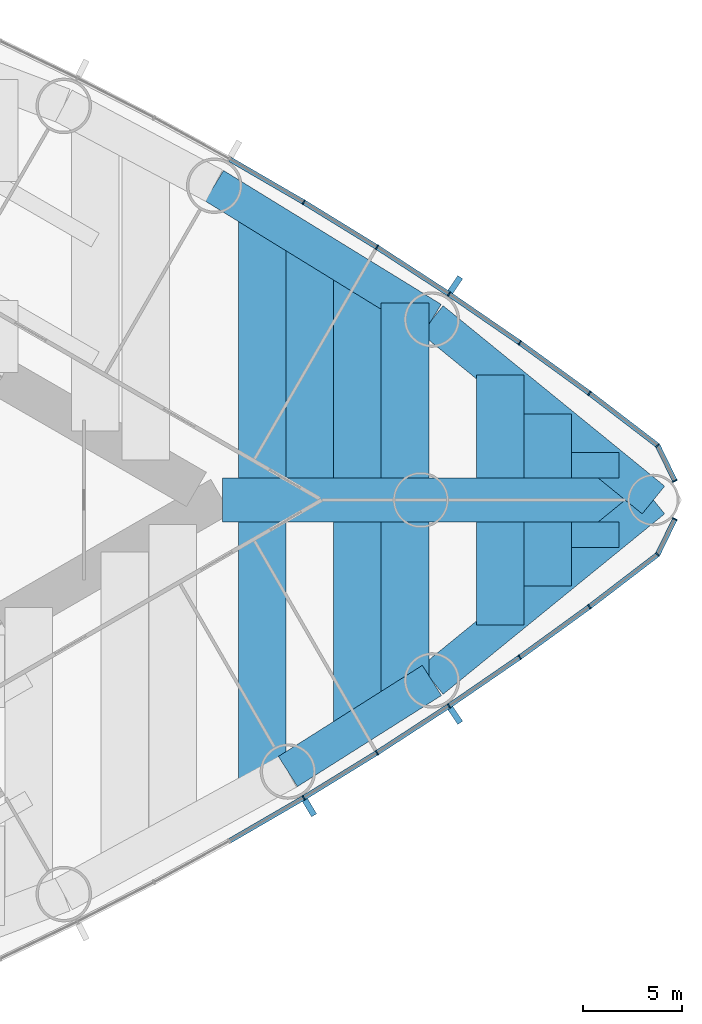
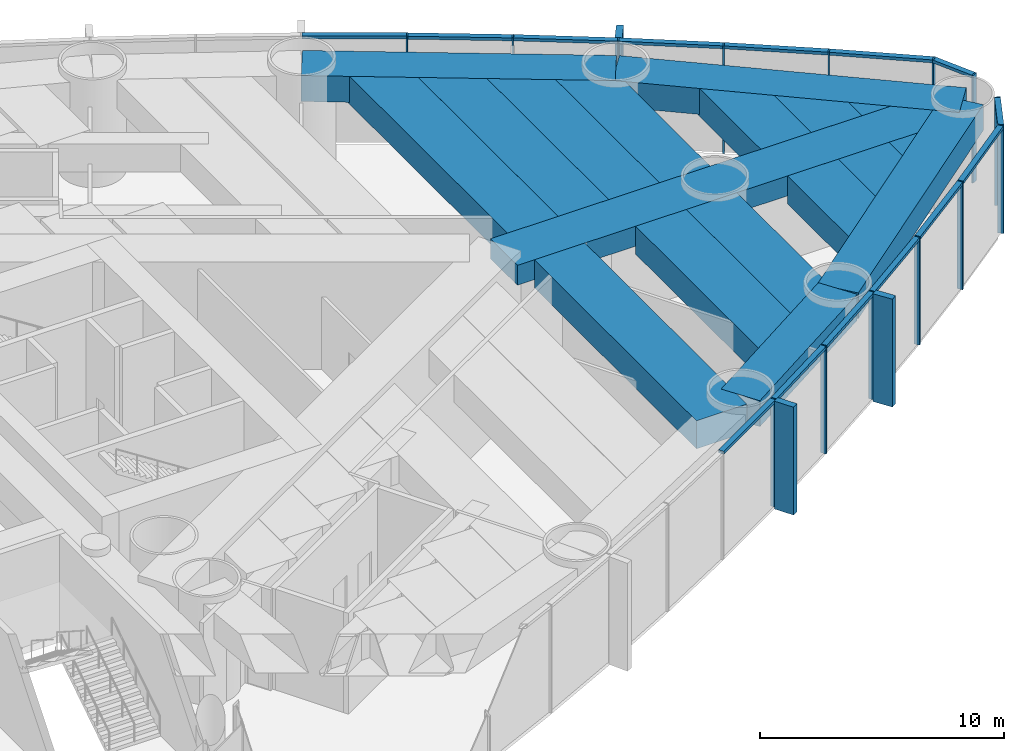
# One storey, part 11 of 20: 31 members, 18 beams, 2 elements without a shape of their own.
"""IFC4 building model written with IfcOpenShell, lengths in metres."""

from ifc_helpers import new_model, si_unit, direction, frame, origin, origin_2d, place, context, subcontext, project, spatial, rectangle, extrude, material, material_profile, profile_set, type_object, element, aggregate, save


model = new_model("IFC4")

# Units and contexts
model_context = context("Model", 3, precision=1e-05, world=origin(), true_north=direction((0.0, 1.0)))
body_context = subcontext(model_context, "Body", "Model", "MODEL_VIEW")
ifc_project = project(units=[si_unit("LENGTHUNIT", "METRE"), si_unit("AREAUNIT", "SQUARE_METRE"), si_unit("VOLUMEUNIT", "CUBIC_METRE"), si_unit("PLANEANGLEUNIT", "RADIAN"), si_unit("MASSUNIT", "GRAM", prefix="KILO")], contexts=[model_context])

# Site, building, storey
site_placement = place(None, origin())
site = spatial("IfcSite", under=ifc_project, at=site_placement, CompositionType="ELEMENT")
building_placement = place(site_placement, origin())
building = spatial("IfcBuilding", under=site, at=building_placement, Name="Lancet Gate Hotel", CompositionType="ELEMENT")
storey_placement = place(building_placement, frame((0.0, 0.0, 7.199951171875)))
storey = spatial("IfcBuildingStorey", under=building, at=storey_placement, Name="L01", CompositionType="ELEMENT", Elevation=7.199951171875)

# Curtain wall, members
ifc_material_1 = material(Name="Aluminium curtain wall", Category="aluminium")
curtain_wall_type = type_object("IfcCurtainWallType", Name="Podium curtain wall", PredefinedType="USERDEFINED", material=ifc_material_1)
curtain_wall_1_placement = place(storey_placement, origin())
curtain_wall_1 = element("IfcCurtainWall", 1, at=curtain_wall_1_placement, inside=storey, type_object=curtain_wall_type, Name="T2 L01 curtain wall 2", ObjectType="UNITISED CURTAIN WALL", PredefinedType="USERDEFINED")
ifc_material_2 = material(Name="Aluminium mullion", Category="aluminium")
ifc_material_profile_1 = material_profile(ifc_material_2, rectangle(XDim=0.06494140625, YDim=0.25, at=origin_2d()), Name="MULLION 65x250")
ifc_profile_set_1 = profile_set([ifc_material_profile_1], Name="Aluminium mullion")
member_type_1 = type_object("IfcMemberType", Name="Aluminium mullion 65x250", PredefinedType="MULLION", material=ifc_profile_set_1)
member_1_placement = place(storey_placement, frame((55.590087890625, -15.03125, 0.0), z_axis=(0.0, 0.0, 1.0), x_axis=(0.858413008828, 0.512959166284, 0.0)))
member_1 = element("IfcMember", 2, at=member_1_placement, type_object=member_type_1, Name="T2 L01 curtain wall 2 mullion 8", PredefinedType="MULLION", context=body_context, shape_type="SweptSolid", body=[
    extrude(rectangle(XDim=0.06494140625, YDim=0.25, at=origin_2d()), origin(), (0.0, 0.0, 1.0), 5.400146484375),
])
member_2_placement = place(storey_placement, frame((59.28515625, -12.7587890625, 0.0), z_axis=(0.0, 0.0, 1.0), x_axis=(0.845079420983, 0.534640788035, 0.0)))
member_2 = element("IfcMember", 3, at=member_2_placement, type_object=member_type_1, Name="T2 L01 curtain wall 2 mullion 9", PredefinedType="MULLION", context=body_context, shape_type="SweptSolid", body=[
    extrude(rectangle(XDim=0.06494140625, YDim=0.25, at=origin_2d()), origin(), (0.0, 0.0, 1.0), 5.400146484375),
])
member_3_placement = place(storey_placement, frame((62.921142578125, -10.393310546875, 0.0), z_axis=(0.0, 0.0, 1.0), x_axis=(0.831198325377, 0.555976028162, 0.0)))
member_3 = element("IfcMember", 4, at=member_3_placement, type_object=member_type_1, Name="T2 L01 curtain wall 2 mullion 10", PredefinedType="MULLION", context=body_context, shape_type="SweptSolid", body=[
    extrude(rectangle(XDim=0.06494140625, YDim=0.25, at=origin_2d()), origin(), (0.0, 0.0, 1.0), 5.400146484375),
])
member_4_placement = place(storey_placement, frame((66.49560546875, -7.935791015625, 0.0), z_axis=(0.0, 0.0, 1.0), x_axis=(0.816778715254, 0.576951064049, 0.0)))
member_4 = element("IfcMember", 5, at=member_4_placement, type_object=member_type_1, Name="T2 L01 curtain wall 2 mullion 11", PredefinedType="MULLION", context=body_context, shape_type="SweptSolid", body=[
    extrude(rectangle(XDim=0.06494140625, YDim=0.25, at=origin_2d()), origin(), (0.0, 0.0, 1.0), 5.400146484375),
])
member_5_placement = place(storey_placement, frame((70.00634765625, -5.388427734375, 0.0), z_axis=(0.0, 0.0, 1.0), x_axis=(0.801829932754, 0.597552306447, 0.0)))
member_5 = element("IfcMember", 6, at=member_5_placement, type_object=member_type_1, Name="T2 L01 curtain wall 2 mullion 12", PredefinedType="MULLION", context=body_context, shape_type="SweptSolid", body=[
    extrude(rectangle(XDim=0.06494140625, YDim=0.25, at=origin_2d()), origin(), (0.0, 0.0, 1.0), 5.400146484375),
])
member_6_placement = place(storey_placement, frame((73.451416015625, -2.752197265625, 0.0), z_axis=(0.0, 0.0, 1.0), x_axis=(0.697983022443, 0.716114306784, 0.0)))
member_6 = element("IfcMember", 7, at=member_6_placement, type_object=member_type_1, Name="T2 L01 curtain wall 2 mullion 13", PredefinedType="MULLION", context=body_context, shape_type="SweptSolid", body=[
    extrude(rectangle(XDim=0.06494140625, YDim=0.25, at=origin_2d()), origin(), (0.0, 0.0, 1.0), 5.400146484375),
])
member_7_placement = place(storey_placement, frame((74.322265625, -0.96044921875, 0.0), z_axis=(0.0, 0.0, 1.0), x_axis=(0.437169070119, 0.899379343843, 0.0)))
member_7 = element("IfcMember", 8, at=member_7_placement, type_object=member_type_1, Name="T2 L01 curtain wall 2 mullion 14", PredefinedType="MULLION", context=body_context, shape_type="SweptSolid", body=[
    extrude(rectangle(XDim=0.06494140625, YDim=0.25, at=origin_2d()), origin(), (0.0, 0.0, 1.0), 5.400146484375),
])

curtain_wall_2_placement = place(storey_placement, origin())
curtain_wall_2 = element("IfcCurtainWall", 9, at=curtain_wall_2_placement, inside=storey, type_object=curtain_wall_type, Name="T2 L01 curtain wall 3", ObjectType="UNITISED CURTAIN WALL", PredefinedType="USERDEFINED")
member_8_placement = place(storey_placement, frame((74.322265625, 0.96044921875, 0.0), z_axis=(0.0, 0.0, 1.0), x_axis=(-0.437169070119, 0.899379343843, 0.0)))
member_8 = element("IfcMember", 10, at=member_8_placement, type_object=member_type_1, Name="T2 L01 curtain wall 3 mullion 1", PredefinedType="MULLION", context=body_context, shape_type="SweptSolid", body=[
    extrude(rectangle(XDim=0.06494140625, YDim=0.25, at=origin_2d()), origin(), (0.0, 0.0, 1.0), 5.400146484375),
])
member_9_placement = place(storey_placement, frame((73.451416015625, 2.752197265625, 0.0), z_axis=(0.0, 0.0, 1.0), x_axis=(-0.697983022443, 0.716114306784, 0.0)))
member_9 = element("IfcMember", 11, at=member_9_placement, type_object=member_type_1, Name="T2 L01 curtain wall 3 mullion 2", PredefinedType="MULLION", context=body_context, shape_type="SweptSolid", body=[
    extrude(rectangle(XDim=0.06494140625, YDim=0.25, at=origin_2d()), origin(), (0.0, 0.0, 1.0), 5.400146484375),
])
member_10_placement = place(storey_placement, frame((70.00634765625, 5.388427734375, 0.0), z_axis=(0.0, 0.0, 1.0), x_axis=(-0.801829932754, 0.597552306447, 0.0)))
member_10 = element("IfcMember", 12, at=member_10_placement, type_object=member_type_1, Name="T2 L01 curtain wall 3 mullion 3", PredefinedType="MULLION", context=body_context, shape_type="SweptSolid", body=[
    extrude(rectangle(XDim=0.06494140625, YDim=0.25, at=origin_2d()), origin(), (0.0, 0.0, 1.0), 5.400146484375),
])
member_11_placement = place(storey_placement, frame((66.49560546875, 7.935791015625, 0.0), z_axis=(0.0, 0.0, 1.0), x_axis=(-0.816778715254, 0.576951064049, 0.0)))
member_11 = element("IfcMember", 13, at=member_11_placement, type_object=member_type_1, Name="T2 L01 curtain wall 3 mullion 4", PredefinedType="MULLION", context=body_context, shape_type="SweptSolid", body=[
    extrude(rectangle(XDim=0.06494140625, YDim=0.25, at=origin_2d()), origin(), (0.0, 0.0, 1.0), 5.400146484375),
])
member_12_placement = place(storey_placement, frame((62.921142578125, 10.393310546875, 0.0), z_axis=(0.0, 0.0, 1.0), x_axis=(-0.831198325377, 0.555976028162, 0.0)))
member_12 = element("IfcMember", 14, at=member_12_placement, type_object=member_type_1, Name="T2 L01 curtain wall 3 mullion 5", PredefinedType="MULLION", context=body_context, shape_type="SweptSolid", body=[
    extrude(rectangle(XDim=0.06494140625, YDim=0.25, at=origin_2d()), origin(), (0.0, 0.0, 1.0), 5.400146484375),
])
member_13_placement = place(storey_placement, frame((59.28515625, 12.7587890625, 0.0), z_axis=(0.0, 0.0, 1.0), x_axis=(-0.845079420983, 0.534640788035, 0.0)))
member_13 = element("IfcMember", 15, at=member_13_placement, type_object=member_type_1, Name="T2 L01 curtain wall 3 mullion 6", PredefinedType="MULLION", context=body_context, shape_type="SweptSolid", body=[
    extrude(rectangle(XDim=0.06494140625, YDim=0.25, at=origin_2d()), origin(), (0.0, 0.0, 1.0), 5.400146484375),
])
member_14_placement = place(storey_placement, frame((55.590087890625, 15.03125, 0.0), z_axis=(0.0, 0.0, 1.0), x_axis=(-0.858413008828, 0.512959166284, 0.0)))
member_14 = element("IfcMember", 16, at=member_14_placement, type_object=member_type_1, Name="T2 L01 curtain wall 3 mullion 7", PredefinedType="MULLION", context=body_context, shape_type="SweptSolid", body=[
    extrude(rectangle(XDim=0.06494140625, YDim=0.25, at=origin_2d()), origin(), (0.0, 0.0, 1.0), 5.400146484375),
])

# Member
ifc_material_3 = material(Name="Aluminium transom", Category="aluminium")
ifc_material_profile_2 = material_profile(ifc_material_3, rectangle(XDim=0.25, YDim=0.14990234375, at=origin_2d()), Name="TRANSOM 250x150")
ifc_profile_set_2 = profile_set([ifc_material_profile_2], Name="Aluminium transom")
member_type_2 = type_object("IfcMemberType", Name="Aluminium transom 250x150", PredefinedType="USERDEFINED", material=ifc_profile_set_2)
member_15_placement = place(storey_placement, frame((51.86669921875, -17.1923828125, 5.324951171875), z_axis=(0.864854571156, 0.502022480324, 0.0), x_axis=(-0.502022480324, 0.864854571156, 0.0)))
member_15 = element("IfcMember", 17, at=member_15_placement, type_object=member_type_2, Name="T2 L01 curtain wall 2 transom 7", ObjectType="TRANSOM", PredefinedType="USERDEFINED", context=body_context, shape_type="SweptSolid", body=[
    extrude(rectangle(XDim=0.25, YDim=0.14990234375, at=origin_2d()), origin(), (0.0, 0.0, 1.0), 4.272705078125),
])

member_16_placement = place(storey_placement, frame((55.617919921875, -15.01416015625, 5.324951171875), z_axis=(0.851815224451, 0.523842365023, 0.0), x_axis=(-0.523842365023, 0.851815224451, 0.0)))
member_16 = element("IfcMember", 18, at=member_16_placement, type_object=member_type_2, Name="T2 L01 curtain wall 2 transom 8", ObjectType="TRANSOM", PredefinedType="USERDEFINED", context=body_context, shape_type="SweptSolid", body=[
    extrude(rectangle(XDim=0.25, YDim=0.14990234375, at=origin_2d()), origin(), (0.0, 0.0, 1.0), 4.272705078125),
])

member_17_placement = place(storey_placement, frame((59.3125, -12.7412109375, 5.324951171875), z_axis=(0.83817850664, 0.545395994674, 0.0), x_axis=(-0.545395994674, 0.83817850664, 0.0)))
member_17 = element("IfcMember", 19, at=member_17_placement, type_object=member_type_2, Name="T2 L01 curtain wall 2 transom 9", ObjectType="TRANSOM", PredefinedType="USERDEFINED", context=body_context, shape_type="SweptSolid", body=[
    extrude(rectangle(XDim=0.25, YDim=0.14990234375, at=origin_2d()), origin(), (0.0, 0.0, 1.0), 4.272705078125),
])

member_18_placement = place(storey_placement, frame((62.94775390625, -10.374755859375, 5.324951171875), z_axis=(0.824071932869, 0.566485171437, 0.0), x_axis=(-0.566485171437, 0.824071932869, 0.0)))
member_18 = element("IfcMember", 20, at=member_18_placement, type_object=member_type_2, Name="T2 L01 curtain wall 2 transom 10", ObjectType="TRANSOM", PredefinedType="USERDEFINED", context=body_context, shape_type="SweptSolid", body=[
    extrude(rectangle(XDim=0.25, YDim=0.14990234375, at=origin_2d()), origin(), (0.0, 0.0, 1.0), 4.272705078125),
])

member_19_placement = place(storey_placement, frame((66.52197265625, -7.916748046875, 5.324951171875), z_axis=(0.809382971085, 0.587281198505, 0.0), x_axis=(-0.587281198505, 0.809382971085, 0.0)))
member_19 = element("IfcMember", 21, at=member_19_placement, type_object=member_type_2, Name="T2 L01 curtain wall 2 transom 11", ObjectType="TRANSOM", PredefinedType="USERDEFINED", context=body_context, shape_type="SweptSolid", body=[
    extrude(rectangle(XDim=0.25, YDim=0.14990234375, at=origin_2d()), origin(), (0.0, 0.0, 1.0), 4.272705078125),
])

member_20_placement = place(storey_placement, frame((70.0322265625, -5.36865234375, 5.324951171875), z_axis=(0.794155062652, 0.607715177089, 0.0), x_axis=(-0.607715177089, 0.794155062652, 0.0)))
member_20 = element("IfcMember", 22, at=member_20_placement, type_object=member_type_2, Name="T2 L01 curtain wall 2 transom 12", ObjectType="TRANSOM", PredefinedType="USERDEFINED", context=body_context, shape_type="SweptSolid", body=[
    extrude(rectangle(XDim=0.25, YDim=0.14990234375, at=origin_2d()), origin(), (0.0, 0.0, 1.0), 4.27294921875),
])

member_21_placement = place(storey_placement, frame((73.465576171875, -2.72314453125, 5.324951171875), z_axis=(0.437103060611, 0.899411426659, 0.0), x_axis=(-0.899411426659, 0.437103060611, 0.0)))
member_21 = element("IfcMember", 23, at=member_21_placement, type_object=member_type_2, Name="T2 L01 curtain wall 2 transom 13", ObjectType="TRANSOM", PredefinedType="USERDEFINED", context=body_context, shape_type="SweptSolid", body=[
    extrude(rectangle(XDim=0.25, YDim=0.14990234375, at=origin_2d()), origin(), (0.0, 0.0, 1.0), 1.927490234375),
])

member_22_placement = place(storey_placement, frame((74.30810546875, 0.989501953125, 5.324951171875), z_axis=(-0.437103060611, 0.899411426659, 0.0), x_axis=(-0.899411426659, -0.437103060611, 0.0)))
member_22 = element("IfcMember", 24, at=member_22_placement, type_object=member_type_2, Name="T2 L01 curtain wall 3 transom 1", ObjectType="TRANSOM", PredefinedType="USERDEFINED", context=body_context, shape_type="SweptSolid", body=[
    extrude(rectangle(XDim=0.25, YDim=0.14990234375, at=origin_2d()), origin(), (0.0, 0.0, 1.0), 1.927490234375),
])

member_23_placement = place(storey_placement, frame((73.425537109375, 2.77197265625, 5.324951171875), z_axis=(-0.794155062652, 0.607715177089, 0.0), x_axis=(-0.607715177089, -0.794155062652, 0.0)))
member_23 = element("IfcMember", 25, at=member_23_placement, type_object=member_type_2, Name="T2 L01 curtain wall 3 transom 2", ObjectType="TRANSOM", PredefinedType="USERDEFINED", context=body_context, shape_type="SweptSolid", body=[
    extrude(rectangle(XDim=0.25, YDim=0.14990234375, at=origin_2d()), origin(), (0.0, 0.0, 1.0), 4.27294921875),
])

member_24_placement = place(storey_placement, frame((69.980224609375, 5.407470703125, 5.324951171875), z_axis=(-0.809382971085, 0.587281198505, 0.0), x_axis=(-0.587281198505, -0.809382971085, 0.0)))
member_24 = element("IfcMember", 26, at=member_24_placement, type_object=member_type_2, Name="T2 L01 curtain wall 3 transom 3", ObjectType="TRANSOM", PredefinedType="USERDEFINED", context=body_context, shape_type="SweptSolid", body=[
    extrude(rectangle(XDim=0.25, YDim=0.14990234375, at=origin_2d()), origin(), (0.0, 0.0, 1.0), 4.272705078125),
])

member_25_placement = place(storey_placement, frame((66.46875, 7.954345703125, 5.324951171875), z_axis=(-0.824071932869, 0.566485171437, 0.0), x_axis=(-0.566485171437, -0.824071932869, 0.0)))
member_25 = element("IfcMember", 27, at=member_25_placement, type_object=member_type_2, Name="T2 L01 curtain wall 3 transom 4", ObjectType="TRANSOM", PredefinedType="USERDEFINED", context=body_context, shape_type="SweptSolid", body=[
    extrude(rectangle(XDim=0.25, YDim=0.14990234375, at=origin_2d()), origin(), (0.0, 0.0, 1.0), 4.272705078125),
])

member_26_placement = place(storey_placement, frame((62.893798828125, 10.410888671875, 5.324951171875), z_axis=(-0.83817850664, 0.545395994674, 0.0), x_axis=(-0.545395994674, -0.83817850664, 0.0)))
member_26 = element("IfcMember", 28, at=member_26_placement, type_object=member_type_2, Name="T2 L01 curtain wall 3 transom 5", ObjectType="TRANSOM", PredefinedType="USERDEFINED", context=body_context, shape_type="SweptSolid", body=[
    extrude(rectangle(XDim=0.25, YDim=0.14990234375, at=origin_2d()), origin(), (0.0, 0.0, 1.0), 4.272705078125),
])

member_27_placement = place(storey_placement, frame((59.257568359375, 12.77587890625, 5.324951171875), z_axis=(-0.851815224451, 0.523842365023, 0.0), x_axis=(-0.523842365023, -0.851815224451, 0.0)))
member_27 = element("IfcMember", 29, at=member_27_placement, type_object=member_type_2, Name="T2 L01 curtain wall 3 transom 6", ObjectType="TRANSOM", PredefinedType="USERDEFINED", context=body_context, shape_type="SweptSolid", body=[
    extrude(rectangle(XDim=0.25, YDim=0.14990234375, at=origin_2d()), origin(), (0.0, 0.0, 1.0), 4.272705078125),
])

member_28_placement = place(storey_placement, frame((55.56201171875, 15.04736328125, 5.324951171875), z_axis=(-0.864854571156, 0.502022480324, 0.0), x_axis=(-0.502022480324, -0.864854571156, 0.0)))
member_28 = element("IfcMember", 30, at=member_28_placement, type_object=member_type_2, Name="T2 L01 curtain wall 3 transom 7", ObjectType="TRANSOM", PredefinedType="USERDEFINED", context=body_context, shape_type="SweptSolid", body=[
    extrude(rectangle(XDim=0.25, YDim=0.14990234375, at=origin_2d()), origin(), (0.0, 0.0, 1.0), 4.272705078125),
])

# Beams
ifc_material_4 = material(Name="Concrete C50/60", Category="concrete")
ifc_material_profile_3 = material_profile(ifc_material_4, rectangle(XDim=1.800048828125, YDim=1.300048828125, at=origin_2d()), Name="RC 1800x1300")
ifc_profile_set_3 = profile_set([ifc_material_profile_3], Name="Concrete C50/60")
beam_type_1 = type_object("IfcBeamType", Name="Edge beam RC 1800x1300", PredefinedType="SPANDREL", material=ifc_profile_set_3)
beam_1_placement = place(storey_placement, frame((54.795166015625, -13.70068359375, 4.400146484375), z_axis=(0.845078312276, 0.534642540508, 0.0), x_axis=(-0.534642540508, 0.845078312276, 0.0)))
element("IfcBeam", 31, at=beam_1_placement, inside=storey, type_object=beam_type_1, Name="T2 edge beam EB1 L01", PredefinedType="SPANDREL", context=body_context, shape_type="SweptSolid", body=[
    extrude(rectangle(XDim=1.800048828125, YDim=1.300048828125, at=origin_2d()), origin(), (0.0, 0.0, 1.0), 8.595947265625),
])
for number, where, z_axis, x_axis, name in (
    (32, (62.059326171875, -9.10498046875, 4.400146484375), (0.775390970005, 0.631481467372, 0.0), (-0.631481467372, 0.775390970005, 0.0), "T2 edge beam EB1 L01"),
    (33, (73.2392578125, 0.0, 4.400146484375), (-0.775390970005, 0.631481467372, 0.0), (-0.631481467372, -0.775390970005, 0.0), "T2 edge beam EB1 L01"),
):
    element("IfcBeam", number, at=place(storey_placement, frame(where, z_axis=z_axis, x_axis=x_axis)), inside=storey, type_object=beam_type_1, Name=name, PredefinedType="SPANDREL", context=body_context, shape_type="SweptSolid", body=[
        extrude(rectangle(XDim=1.800048828125, YDim=1.300048828125, at=origin_2d()), origin(), (0.0, 0.0, 1.0), 14.41845703125),
    ])
beam_2_placement = place(storey_placement, frame((62.059326171875, 9.10498046875, 4.400146484375), z_axis=(-0.851815628025, 0.523841708775, 0.0), x_axis=(-0.523841708775, -0.851815628025, 0.0)))
element("IfcBeam", 34, at=beam_2_placement, inside=storey, type_object=beam_type_1, Name="T2 edge beam EB1 L01", PredefinedType="SPANDREL", context=body_context, shape_type="SweptSolid", body=[
    extrude(rectangle(XDim=1.800048828125, YDim=1.300048828125, at=origin_2d()), origin(), (0.0, 0.0, 1.0), 12.89208984375),
])

# Member
ifc_material_5 = material(Name="Precast concrete C50/60", Category="concrete")
ifc_material_profile_4 = material_profile(ifc_material_5, rectangle(XDim=0.300048828125, YDim=0.89990234375, at=origin_2d()), Name="FIN 300x900")
ifc_profile_set_4 = profile_set([ifc_material_profile_4], Name="Precast concrete C50/60")
member_type_3 = type_object("IfcMemberType", Name="Exposed concrete fin 300x900", PredefinedType="USERDEFINED", material=ifc_profile_set_4)
member_29_placement = place(storey_placement, frame((55.88525390625, -15.524658203125, 0.0), z_axis=(0.0, 0.0, 1.0), x_axis=(0.858413008828, 0.512959166284, 0.0)))
member_29 = element("IfcMember", 35, at=member_29_placement, type_object=member_type_3, Name="T2 L01 curtain wall 2 fin 8", ObjectType="FIN", PredefinedType="USERDEFINED", context=body_context, shape_type="SweptSolid", body=[
    extrude(rectangle(XDim=0.300048828125, YDim=0.89990234375, at=origin_2d()), origin(), (0.0, 0.0, 1.0), 5.400146484375),
])

member_30_placement = place(storey_placement, frame((63.24072265625, -10.87109375, 0.0), z_axis=(0.0, 0.0, 1.0), x_axis=(0.831198325377, 0.555976028162, 0.0)))
member_30 = element("IfcMember", 36, at=member_30_placement, type_object=member_type_3, Name="T2 L01 curtain wall 2 fin 10", ObjectType="FIN", PredefinedType="USERDEFINED", context=body_context, shape_type="SweptSolid", body=[
    extrude(rectangle(XDim=0.300048828125, YDim=0.89990234375, at=origin_2d()), origin(), (0.0, 0.0, 1.0), 5.400146484375),
])

aggregate(curtain_wall_1, [member_1, member_29, member_2, member_3, member_30, member_4, member_5, member_6, member_7, member_15, member_16, member_17, member_18, member_19, member_20, member_21])

member_31_placement = place(storey_placement, frame((63.24072265625, 10.87109375, 0.0), z_axis=(0.0, 0.0, 1.0), x_axis=(-0.831198325377, 0.555976028162, 0.0)))
member_31 = element("IfcMember", 37, at=member_31_placement, type_object=member_type_3, Name="T2 L01 curtain wall 3 fin 5", ObjectType="FIN", PredefinedType="USERDEFINED", context=body_context, shape_type="SweptSolid", body=[
    extrude(rectangle(XDim=0.300048828125, YDim=0.89990234375, at=origin_2d()), origin(), (0.0, 0.0, 1.0), 5.400146484375),
])

aggregate(curtain_wall_2, [member_8, member_9, member_10, member_11, member_12, member_31, member_13, member_14, member_22, member_23, member_24, member_25, member_26, member_27, member_28])

# Beams
ifc_material_6 = material(Name="Concrete C50/60", Category="concrete")
ifc_material_profile_5 = material_profile(ifc_material_6, rectangle(XDim=2.39990234375, YDim=1.39990234375, at=origin_2d()), Name="RC 2400x1400")
ifc_profile_set_5 = profile_set([ifc_material_profile_5], Name="Concrete C50/60")
beam_type_2 = type_object("IfcBeamType", Name="Floor beam RC 2400x1400", PredefinedType="BEAM", material=ifc_profile_set_5)
beam_3_placement = place(storey_placement, frame((53.502197265625, -14.40771484375, 4.35009765625), z_axis=(0.0, 1.0, 0.0), x_axis=(-1.0, 0.0, 0.0)))
element("IfcBeam", 38, at=beam_3_placement, inside=storey, type_object=beam_type_2, Name="T2 floor beam F16S L01", PredefinedType="BEAM", context=body_context, shape_type="SweptSolid", body=[
    extrude(rectangle(XDim=2.39990234375, YDim=1.39990234375, at=origin_2d()), origin(), (0.0, 0.0, 1.0), 13.3076171875),
])
beam_4_placement = place(storey_placement, frame((53.502197265625, 1.10009765625, 4.35009765625), z_axis=(0.0, 1.0, 0.0), x_axis=(-1.0, 0.0, 0.0)))
element("IfcBeam", 39, at=beam_4_placement, inside=storey, type_object=beam_type_2, Name="T2 floor beam F17N L01", PredefinedType="BEAM", context=body_context, shape_type="SweptSolid", body=[
    extrude(rectangle(XDim=2.39990234375, YDim=1.39990234375, at=origin_2d()), origin(), (0.0, 0.0, 1.0), 13.26708984375),
])
beam_5_placement = place(storey_placement, frame((55.90234375, 1.10009765625, 4.35009765625), z_axis=(0.0, 1.0, 0.0), x_axis=(-1.0, 0.0, 0.0)))
element("IfcBeam", 40, at=beam_5_placement, inside=storey, type_object=beam_type_2, Name="T2 floor beam F18N L01", PredefinedType="BEAM", context=body_context, shape_type="SweptSolid", body=[
    extrude(rectangle(XDim=2.39990234375, YDim=1.39990234375, at=origin_2d()), origin(), (0.0, 0.0, 1.0), 11.791259765625),
])
beam_6_placement = place(storey_placement, frame((58.30224609375, -11.48193359375, 4.35009765625), z_axis=(0.0, 1.0, 0.0), x_axis=(-1.0, 0.0, 0.0)))
element("IfcBeam", 41, at=beam_6_placement, inside=storey, type_object=beam_type_2, Name="T2 floor beam F19S L01", PredefinedType="BEAM", context=body_context, shape_type="SweptSolid", body=[
    extrude(rectangle(XDim=2.39990234375, YDim=1.39990234375, at=origin_2d()), origin(), (0.0, 0.0, 1.0), 10.3818359375),
])
beam_7_placement = place(storey_placement, frame((58.30224609375, 1.10009765625, 4.35009765625), z_axis=(0.0, 1.0, 0.0), x_axis=(-1.0, 0.0, 0.0)))
element("IfcBeam", 42, at=beam_7_placement, inside=storey, type_object=beam_type_2, Name="T2 floor beam F20N L01", PredefinedType="BEAM", context=body_context, shape_type="SweptSolid", body=[
    extrude(rectangle(XDim=2.39990234375, YDim=1.39990234375, at=origin_2d()), origin(), (0.0, 0.0, 1.0), 10.3154296875),
])
beam_8_placement = place(storey_placement, frame((60.7021484375, -9.96337890625, 4.35009765625), z_axis=(0.0, 1.0, 0.0), x_axis=(-1.0, 0.0, 0.0)))
element("IfcBeam", 43, at=beam_8_placement, inside=storey, type_object=beam_type_2, Name="T2 floor beam F21S L01", PredefinedType="BEAM", context=body_context, shape_type="SweptSolid", body=[
    extrude(rectangle(XDim=2.39990234375, YDim=1.39990234375, at=origin_2d()), origin(), (0.0, 0.0, 1.0), 8.86328125),
])
beam_9_placement = place(storey_placement, frame((60.7021484375, 1.10009765625, 4.35009765625), z_axis=(0.0, 1.0, 0.0), x_axis=(-1.0, 0.0, 0.0)))
element("IfcBeam", 44, at=beam_9_placement, inside=storey, type_object=beam_type_2, Name="T2 floor beam F22N L01", PredefinedType="BEAM", context=body_context, shape_type="SweptSolid", body=[
    extrude(rectangle(XDim=2.39990234375, YDim=1.39990234375, at=origin_2d()), origin(), (0.0, 0.0, 1.0), 8.83935546875),
])
for number, where, z_axis, x_axis, name in (
    (45, (65.502197265625, -6.301025390625, 4.35009765625), (0.0, 1.0, 0.0), (-1.0, 0.0, 0.0), "T2 floor beam F23S L01"),
    (46, (65.502197265625, 1.10009765625, 4.35009765625), (0.0, 1.0, 0.0), (-1.0, 0.0, 0.0), "T2 floor beam F24N L01"),
):
    element("IfcBeam", number, at=place(storey_placement, frame(where, z_axis=z_axis, x_axis=x_axis)), inside=storey, type_object=beam_type_2, Name=name, PredefinedType="BEAM", context=body_context, shape_type="SweptSolid", body=[
        extrude(rectangle(XDim=2.39990234375, YDim=1.39990234375, at=origin_2d()), origin(), (0.0, 0.0, 1.0), 5.200927734375),
    ])
for number, where, z_axis, x_axis, name in (
    (47, (67.90234375, -4.346435546875, 4.35009765625), (0.0, 1.0, 0.0), (-1.0, 0.0, 0.0), "T2 floor beam F25S L01"),
    (48, (67.90234375, 1.10009765625, 4.35009765625), (0.0, 1.0, 0.0), (-1.0, 0.0, 0.0), "T2 floor beam F26N L01"),
):
    element("IfcBeam", number, at=place(storey_placement, frame(where, z_axis=z_axis, x_axis=x_axis)), inside=storey, type_object=beam_type_2, Name=name, PredefinedType="BEAM", context=body_context, shape_type="SweptSolid", body=[
        extrude(rectangle(XDim=2.39990234375, YDim=1.39990234375, at=origin_2d()), origin(), (0.0, 0.0, 1.0), 3.246337890625),
    ])
for number, where, z_axis, x_axis, name in (
    (49, (70.30224609375, -2.391845703125, 4.35009765625), (0.0, 1.0, 0.0), (-1.0, 0.0, 0.0), "T2 floor beam F27S L01"),
    (50, (70.30224609375, 1.10009765625, 4.35009765625), (0.0, 1.0, 0.0), (-1.0, 0.0, 0.0), "T2 floor beam F28N L01"),
):
    element("IfcBeam", number, at=place(storey_placement, frame(where, z_axis=z_axis, x_axis=x_axis)), inside=storey, type_object=beam_type_2, Name=name, PredefinedType="BEAM", context=body_context, shape_type="SweptSolid", body=[
        extrude(rectangle(XDim=2.39990234375, YDim=1.39990234375, at=origin_2d()), origin(), (0.0, 0.0, 1.0), 1.291748046875),
    ])
ifc_material_7 = material(Name="Concrete C50/60", Category="concrete")
ifc_material_profile_6 = material_profile(ifc_material_7, rectangle(XDim=2.199951171875, YDim=1.0, at=origin_2d()), Name="RC 2200x1000")
ifc_profile_set_6 = profile_set([ifc_material_profile_6], Name="Concrete C50/60")
beam_type_3 = type_object("IfcBeamType", Name="Radial floor beam RC 2200x1000", PredefinedType="BEAM", material=ifc_profile_set_6)
beam_10_placement = place(storey_placement, frame((73.2392578125, 0.0, 4.550048828125), z_axis=(-1.0, 0.0, 0.0), x_axis=(0.0, -1.0, 0.0)))
element("IfcBeam", 51, at=beam_10_placement, inside=storey, type_object=beam_type_3, Name="T2 radial beam CA L01", PredefinedType="BEAM", context=body_context, shape_type="SweptSolid", body=[
    extrude(rectangle(XDim=2.199951171875, YDim=1.0, at=origin_2d()), origin(), (0.0, 0.0, 1.0), 21.737060546875),
])

save(model, "model.ifc")
